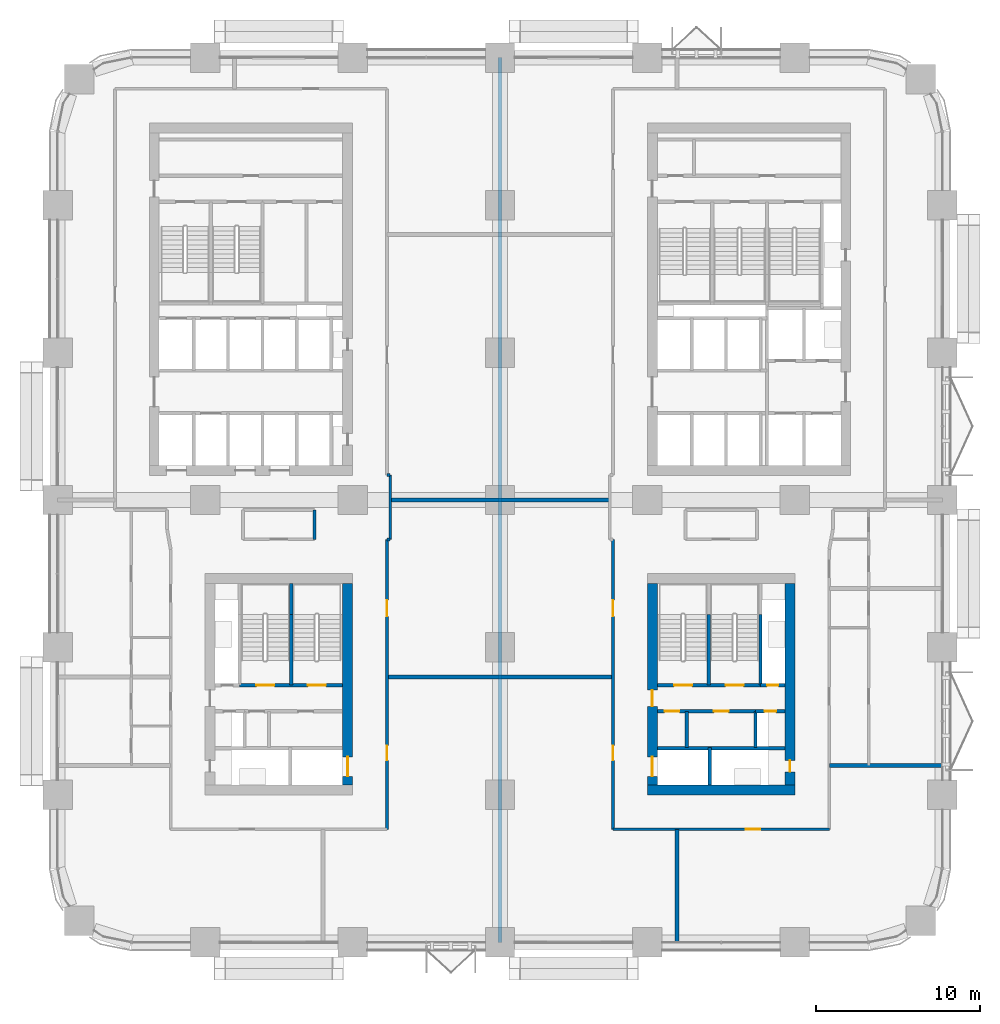
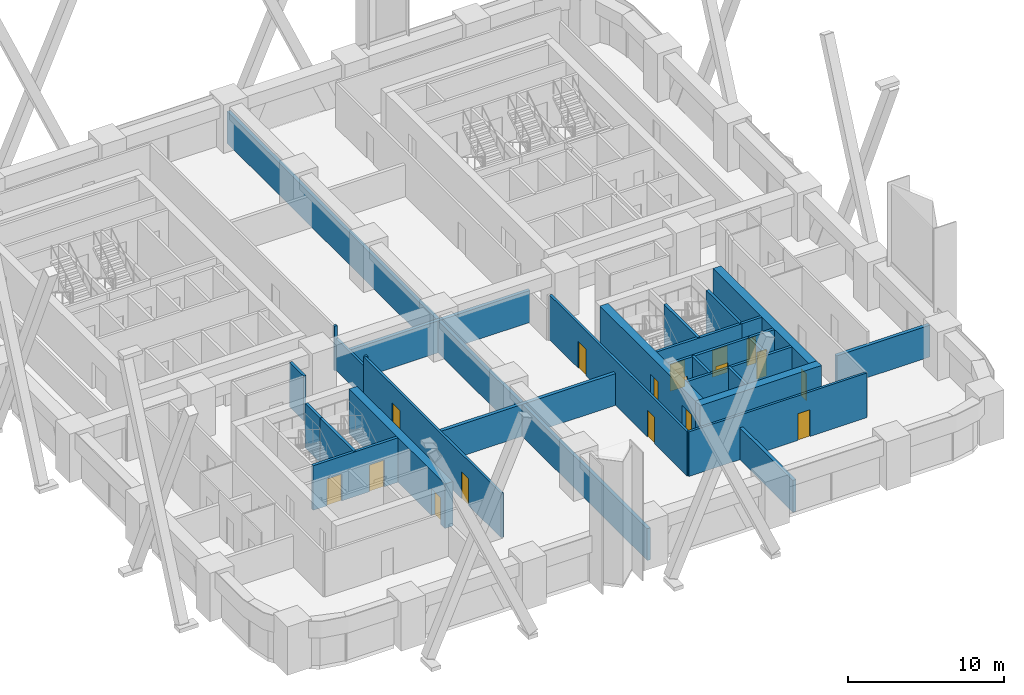
# One storey, part 16 of 24: 29 walls, 17 doors, 17 openings.
"""IFC4 building model written with IfcOpenShell, lengths in metres."""

from ifc_helpers import new_model, si_unit, direction, frame, frame_2d, origin, place, context, subcontext, project, spatial, rectangle, extrude, material, layer, layer_set, type_object, element, fill, save


model = new_model("IFC4")

# Units and contexts
model_context = context("Model", 3, precision=1e-05, world=origin(), true_north=direction((0.0, 1.0)))
body_context = subcontext(model_context, "Body", "Model", "MODEL_VIEW")
ifc_project = project(units=[si_unit("LENGTHUNIT", "METRE"), si_unit("AREAUNIT", "SQUARE_METRE"), si_unit("VOLUMEUNIT", "CUBIC_METRE"), si_unit("PLANEANGLEUNIT", "RADIAN"), si_unit("MASSUNIT", "GRAM", prefix="KILO")], contexts=[model_context])

# Site, building, storey
site_placement = place(None, origin())
site = spatial("IfcSite", under=ifc_project, at=site_placement, CompositionType="ELEMENT")
building_placement = place(site_placement, origin())
building = spatial("IfcBuilding", under=site, at=building_placement, Name="Tessera Arch", CompositionType="ELEMENT")
storey_placement = place(building_placement, frame((0.0, 0.0, 61.39990234375)))
storey = spatial("IfcBuildingStorey", under=building, at=storey_placement, Name="L13", CompositionType="ELEMENT", Elevation=61.39990234375)

# Wall
ifc_material_1 = material(Name="Gypsum board on steel stud", Category="steel")
ifc_layer_1 = layer(ifc_material_1, 0.125)
ifc_layer_set_1 = layer_set([ifc_layer_1], Name="Core partition 125 EI 60")
wall_type_1 = type_object("IfcWallType", Name="Core partition 125 EI 60", PredefinedType="PARTITIONING", material=ifc_layer_set_1)
wall_1_placement = place(storey_placement, frame((38.39990234375, 11.89990234375, 0.0), z_axis=(0.0, 0.0, 1.0), x_axis=(0.0, 1.0, 0.0)))
element("IfcWall", 1, at=wall_1_placement, inside=storey, type_object=wall_type_1, Name="L13 C3 partition wall 1", PredefinedType="PARTITIONING", context=body_context, shape_type="SweptSolid", body=[
    extrude(rectangle(XDim=2.2001953125, YDim=0.199951171875, at=frame_2d((1.10009765625, 0.0))), origin(), (0.0, 0.0, 1.0), 3.5),
])

# Wall, openings, doors
wall_2_placement = place(storey_placement, frame((36.60009765625, 14.10009765625, 0.0), z_axis=(0.0, 0.0, 1.0), x_axis=(1.0, 0.0, 0.0)))
wall_2 = element("IfcWall", 2, at=wall_2_placement, inside=storey, type_object=wall_type_1, Name="L13 C3 partition wall 9", PredefinedType="PARTITIONING", context=body_context, shape_type="SweptSolid", body=[
    extrude(rectangle(XDim=6.0, YDim=0.199951171875, at=frame_2d((3.0, 0.0))), origin(), (0.0, 0.0, 1.0), 3.5),
])
opening_1_placement = place(wall_2_placement, frame((0.449951171875, 0.0, 0.0)))
opening_1 = element("IfcOpeningElement", 3, at=opening_1_placement, cuts=wall_2, Name="Opening L13-C38", PredefinedType="OPENING", context=body_context, shape_type="SweptSolid", body=[
    extrude(rectangle(XDim=0.89990234375, YDim=2.10009765625, at=frame_2d((0.449951171875, 1.050048828125))), frame((0.0, 0.10986328125, 0.0), z_axis=(0.0, -1.0, 0.0), x_axis=(1.0, 0.0, 0.0)), (0.0, 0.0, 1.0), 0.219970703125),
])
opening_2_placement = place(wall_2_placement, frame((3.449951171875, 0.0, 0.0)))
opening_2 = element("IfcOpeningElement", 4, at=opening_2_placement, cuts=wall_2, Name="Opening L13-C39", PredefinedType="OPENING", context=body_context, shape_type="SweptSolid", body=[
    extrude(rectangle(XDim=0.89990234375, YDim=2.10009765625, at=frame_2d((0.449951171875, 1.050048828125))), frame((0.0, 0.10986328125, 0.0), z_axis=(0.0, -1.0, 0.0), x_axis=(1.0, 0.0, 0.0)), (0.0, 0.0, 1.0), 0.219970703125),
])
ifc_material_2 = material(Name="Steel door leaf", Category="steel")
door_type_1 = type_object("IfcDoorType", Name="Store door FD30S 900 x 2100", OperationType="SINGLE_SWING_LEFT", PredefinedType="DOOR", material=ifc_material_2)
door_1_placement = place(opening_1_placement, origin())
door_1 = element("IfcDoor", 5, at=door_1_placement, inside=storey, type_object=door_type_1, Name="L13 C3 door 8 C38 type D09", OperationType="SINGLE_SWING_LEFT", OverallHeight=2.10009765625, OverallWidth=0.89990234375, PredefinedType="DOOR", context=body_context, shape_type="SweptSolid", body=[
    extrude(rectangle(XDim=0.89990234375, YDim=2.10009765625, at=frame_2d((0.449951171875, 1.050048828125))), frame((0.0, 0.02490234375, 0.0), z_axis=(0.0, -1.0, 0.0), x_axis=(1.0, 0.0, 0.0)), (0.0, 0.0, 1.0), 0.050048828125),
])
fill(opening_1, door_1)
door_2_placement = place(opening_2_placement, origin())
door_2 = element("IfcDoor", 6, at=door_2_placement, inside=storey, type_object=door_type_1, Name="L13 C3 door 9 C39 type D09", OperationType="SINGLE_SWING_RIGHT", OverallHeight=2.10009765625, OverallWidth=0.89990234375, PredefinedType="DOOR", context=body_context, shape_type="SweptSolid", body=[
    extrude(rectangle(XDim=0.89990234375, YDim=2.10009765625, at=frame_2d((0.449951171875, 1.050048828125))), frame((0.0, 0.02490234375, 0.0), z_axis=(0.0, -1.0, 0.0), x_axis=(1.0, 0.0, 0.0)), (0.0, 0.0, 1.0), 0.050048828125),
])
fill(opening_2, door_2)

# Wall
ifc_material_3 = material(Name="Concrete C70/85", Category="concrete")
ifc_layer_2 = layer(ifc_material_3, 0.60009765625)
ifc_layer_set_2 = layer_set([ifc_layer_2], Name="Core shell wall 600 C70-85")
wall_type_2 = type_object("IfcWallType", Name="Core shell wall 600 C70-85", PredefinedType="SHEAR", material=ifc_layer_set_2)
wall_3_placement = place(storey_placement, frame((36.0, 9.300048828125, 0.0), z_axis=(0.0, 0.0, 1.0), x_axis=(1.0, 0.0, 0.0)))
element("IfcWall", 7, at=wall_3_placement, inside=storey, type_object=wall_type_2, Name="L13 C3 core wall S", PredefinedType="SHEAR", context=body_context, shape_type="SweptSolid", body=[
    extrude(rectangle(XDim=9.0, YDim=0.60009765625, at=frame_2d((4.5, 0.0))), origin(), (0.0, 0.0, 1.0), 3.5),
])

# Wall, openings, doors
wall_4_placement = place(storey_placement, frame((36.300048828125, 9.60009765625, 0.0), z_axis=(0.0, 0.0, 1.0), x_axis=(0.0, 1.0, 0.0)))
wall_4 = element("IfcWall", 8, at=wall_4_placement, inside=storey, type_object=wall_type_2, Name="L13 C3 core wall W", PredefinedType="SHEAR", context=body_context, shape_type="SweptSolid", body=[
    extrude(rectangle(XDim=12.2998046875, YDim=0.60009765625, at=frame_2d((6.14990234375, 0.0))), origin(), (0.0, 0.0, 1.0), 3.5),
])
opening_3_placement = place(wall_4_placement, frame((0.52490234375, 0.0, 0.0)))
opening_3 = element("IfcOpeningElement", 9, at=opening_3_placement, cuts=wall_4, Name="Opening L13-C31", PredefinedType="OPENING", context=body_context, shape_type="SweptSolid", body=[
    extrude(rectangle(XDim=1.199951171875, YDim=2.10009765625, at=frame_2d((0.60009765625, 1.050048828125))), frame((0.0, 0.31005859375, 0.0), z_axis=(0.0, -1.0, 0.0), x_axis=(1.0, 0.0, 0.0)), (0.0, 0.0, 1.0), 0.6201171875),
])
opening_4_placement = place(wall_4_placement, frame((4.800048828125, 0.0, 0.0)))
opening_4 = element("IfcOpeningElement", 10, at=opening_4_placement, cuts=wall_4, Name="Opening L13-C37", PredefinedType="OPENING", context=body_context, shape_type="SweptSolid", body=[
    extrude(rectangle(XDim=1.0, YDim=2.10009765625, at=frame_2d((0.5, 1.050048828125))), frame((0.0, 0.31005859375, 0.0), z_axis=(0.0, -1.0, 0.0), x_axis=(1.0, 0.0, 0.0)), (0.0, 0.0, 1.0), 0.6201171875),
])
ifc_material_4 = material(Name="Steel door leaf", Category="steel")
door_type_2 = type_object("IfcDoorType", Name="Corridor door FD60 1000 x 2100", OperationType="SINGLE_SWING_LEFT", PredefinedType="DOOR", material=ifc_material_4)
door_3_placement = place(opening_4_placement, origin())
door_3 = element("IfcDoor", 11, at=door_3_placement, inside=storey, type_object=door_type_2, Name="L13 C3 door 7 C37 type D12", OperationType="SINGLE_SWING_LEFT", OverallHeight=2.10009765625, OverallWidth=1.0, PredefinedType="DOOR", context=body_context, shape_type="SweptSolid", body=[
    extrude(rectangle(XDim=1.0, YDim=2.10009765625, at=frame_2d((0.5, 1.050048828125))), frame((0.0, 0.02490234375, 0.0), z_axis=(0.0, -1.0, 0.0), x_axis=(1.0, 0.0, 0.0)), (0.0, 0.0, 1.0), 0.050048828125),
])
fill(opening_4, door_3)
ifc_material_5 = material(Name="Stainless steel AISI 304", Category="steel")
door_type_3 = type_object("IfcDoorType", Name="Sliding landing door 1200 x 2100", OperationType="SLIDING_TO_LEFT", PredefinedType="DOOR", material=ifc_material_5)
door_4_placement = place(opening_3_placement, origin())
door_4 = element("IfcDoor", 12, at=door_4_placement, inside=storey, type_object=door_type_3, Name="L13 SV1 lift landing door C31 type LD", OperationType="SLIDING_TO_LEFT", OverallHeight=2.10009765625, OverallWidth=1.199951171875, PredefinedType="DOOR", context=body_context, shape_type="SweptSolid", body=[
    extrude(rectangle(XDim=1.199951171875, YDim=2.10009765625, at=frame_2d((0.60009765625, 1.050048828125))), frame((0.0, 0.02490234375, 0.0), z_axis=(0.0, -1.0, 0.0), x_axis=(1.0, 0.0, 0.0)), (0.0, 0.0, 1.0), 0.050048828125),
])
fill(opening_3, door_4)

# Wall, opening, door
wall_5_placement = place(storey_placement, frame((44.699951171875, 9.60009765625, 0.0), z_axis=(0.0, 0.0, 1.0), x_axis=(0.0, 1.0, 0.0)))
wall_5 = element("IfcWall", 13, at=wall_5_placement, inside=storey, type_object=wall_type_2, Name="L13 C3 core wall E", PredefinedType="SHEAR", context=body_context, shape_type="SweptSolid", body=[
    extrude(rectangle(XDim=12.2998046875, YDim=0.60009765625, at=frame_2d((6.14990234375, 0.0))), origin(), (0.0, 0.0, 1.0), 3.5),
])
opening_5_placement = place(wall_5_placement, frame((0.800048828125, 0.0, 0.0)))
opening_5 = element("IfcOpeningElement", 14, at=opening_5_placement, cuts=wall_5, Name="Opening L13-C36", PredefinedType="OPENING", context=body_context, shape_type="SweptSolid", body=[
    extrude(rectangle(XDim=0.699951171875, YDim=2.10009765625, at=frame_2d((0.35009765625, 1.050048828125))), frame((0.0, 0.31005859375, 0.0), z_axis=(0.0, -1.0, 0.0), x_axis=(1.0, 0.0, 0.0)), (0.0, 0.0, 1.0), 0.6201171875),
])
ifc_material_6 = material(Name="Steel door leaf", Category="steel")
door_type_4 = type_object("IfcDoorType", Name="Service shaft door FD60 700 x 2100", OperationType="SINGLE_SWING_LEFT", PredefinedType="DOOR", material=ifc_material_6)
door_5_placement = place(opening_5_placement, origin())
door_5 = element("IfcDoor", 15, at=door_5_placement, inside=storey, type_object=door_type_4, Name="L13 C3 door 6 C36 type D07", OperationType="SINGLE_SWING_LEFT", OverallHeight=2.10009765625, OverallWidth=0.699951171875, PredefinedType="DOOR", context=body_context, shape_type="SweptSolid", body=[
    extrude(rectangle(XDim=0.699951171875, YDim=2.10009765625, at=frame_2d((0.35009765625, 1.050048828125))), frame((0.0, 0.02490234375, 0.0), z_axis=(0.0, -1.0, 0.0), x_axis=(1.0, 0.0, 0.0)), (0.0, 0.0, 1.0), 0.050048828125),
])
fill(opening_5, door_5)

wall_6_placement = place(storey_placement, frame((17.699951171875, 9.60009765625, 0.0), z_axis=(0.0, 0.0, 1.0), x_axis=(0.0, 1.0, 0.0)))
wall_6 = element("IfcWall", 16, at=wall_6_placement, inside=storey, type_object=wall_type_2, Name="L13 C4 core wall E", PredefinedType="SHEAR", context=body_context, shape_type="SweptSolid", body=[
    extrude(rectangle(XDim=12.2998046875, YDim=0.60009765625, at=frame_2d((6.14990234375, 0.0))), origin(), (0.0, 0.0, 1.0), 3.5),
])
opening_6_placement = place(wall_6_placement, frame((0.52490234375, 0.0, 0.0)))
opening_6 = element("IfcOpeningElement", 17, at=opening_6_placement, cuts=wall_6, Name="Opening L13-C40", PredefinedType="OPENING", context=body_context, shape_type="SweptSolid", body=[
    extrude(rectangle(XDim=1.199951171875, YDim=2.10009765625, at=frame_2d((0.60009765625, 1.050048828125))), frame((0.0, 0.31005859375, 0.0), z_axis=(0.0, -1.0, 0.0), x_axis=(1.0, 0.0, 0.0)), (0.0, 0.0, 1.0), 0.6201171875),
])
door_6_placement = place(opening_6_placement, origin())
door_6 = element("IfcDoor", 18, at=door_6_placement, inside=storey, type_object=door_type_3, Name="L13 SV3 lift landing door C40 type LD", OperationType="SLIDING_TO_LEFT", OverallHeight=2.10009765625, OverallWidth=1.199951171875, PredefinedType="DOOR", context=body_context, shape_type="SweptSolid", body=[
    extrude(rectangle(XDim=1.199951171875, YDim=2.10009765625, at=frame_2d((0.60009765625, 1.050048828125))), frame((0.0, 0.02490234375, 0.0), z_axis=(0.0, -1.0, 0.0), x_axis=(1.0, 0.0, 0.0)), (0.0, 0.0, 1.0), 0.050048828125),
])
fill(opening_6, door_6)

ifc_material_7 = material(Name="Gypsum board on deep steel stud with mineral wool", Category="steel")
ifc_layer_3 = layer(ifc_material_7, 0.175048828125)
ifc_layer_set_3 = layer_set([ifc_layer_3], Name="Corridor wall 175 EI 60")
wall_type_3 = type_object("IfcWallType", Name="Corridor wall 175 EI 60", PredefinedType="PARTITIONING", material=ifc_layer_set_3)
wall_7_placement = place(storey_placement, frame((33.89990234375, 6.89990234375, 0.0), z_axis=(0.0, 0.0, 1.0), x_axis=(1.0, 0.0, 0.0)))
wall_7 = element("IfcWall", 19, at=wall_7_placement, inside=storey, type_object=wall_type_3, Name="L13 partition 2", PredefinedType="PARTITIONING", context=body_context, shape_type="SweptSolid", body=[
    extrude(rectangle(XDim=13.2001953125, YDim=0.175048828125, at=frame_2d((6.60009765625, 0.0))), origin(), (0.0, 0.0, 1.0), 3.5),
])
opening_7_placement = place(wall_7_placement, frame((8.10009765625, 0.0, 0.0)))
opening_7 = element("IfcOpeningElement", 20, at=opening_7_placement, cuts=wall_7, Name="Opening L13-D002", PredefinedType="OPENING", context=body_context, shape_type="SweptSolid", body=[
    extrude(rectangle(XDim=0.89990234375, YDim=2.10009765625, at=frame_2d((0.449951171875, 1.050048828125))), frame((0.0, 0.097412109375, 0.0), z_axis=(0.0, -1.0, 0.0), x_axis=(1.0, 0.0, 0.0)), (0.0, 0.0, 1.0), 0.195068359375),
])
ifc_material_8 = material(Name="Timber door leaf", Category="wood")
door_type_5 = type_object("IfcDoorType", Name="Room door 900 x 2100", OperationType="SINGLE_SWING_LEFT", PredefinedType="DOOR", material=ifc_material_8)
door_7_placement = place(opening_7_placement, origin())
door_7 = element("IfcDoor", 21, at=door_7_placement, inside=storey, type_object=door_type_5, Name="L13 door D002 type D01", OperationType="SINGLE_SWING_LEFT", OverallHeight=2.10009765625, OverallWidth=0.89990234375, PredefinedType="DOOR", context=body_context, shape_type="SweptSolid", body=[
    extrude(rectangle(XDim=0.89990234375, YDim=2.10009765625, at=frame_2d((0.449951171875, 1.050048828125))), frame((0.0, 0.02490234375, 0.0), z_axis=(0.0, -1.0, 0.0), x_axis=(1.0, 0.0, 0.0)), (0.0, 0.0, 1.0), 0.050048828125),
])
fill(opening_7, door_7)

# Walls
for number, where, z_axis, x_axis, name in (
    (22, (20.10009765625, 24.590087890625, 0.0), (0.0, 0.0, 1.0), (1.0, 0.0, 0.0), "L13 partition 3"),
    (23, (20.10009765625, 28.52001953125, 0.0), (0.0, 0.0, 1.0), (1.0, 0.0, 0.0), "L13 partition 11"),
):
    element("IfcWall", number, at=place(storey_placement, frame(where, z_axis=z_axis, x_axis=x_axis)), inside=storey, type_object=wall_type_3, Name=name, PredefinedType="PARTITIONING", context=body_context, shape_type="SweptSolid", body=[
        extrude(rectangle(XDim=0.199951171875, YDim=0.175048828125, at=frame_2d((0.10009765625, 0.0))), origin(), (0.0, 0.0, 1.0), 3.5),
    ])
wall_8_placement = place(storey_placement, frame((15.679931640625, 24.60009765625, 0.0), z_axis=(0.0, 0.0, 1.0), x_axis=(0.0, 1.0, 0.0)))
element("IfcWall", 24, at=wall_8_placement, inside=storey, type_object=wall_type_3, Name="L13 partition 19", PredefinedType="PARTITIONING", context=body_context, shape_type="SweptSolid", body=[
    extrude(rectangle(XDim=1.7998046875, YDim=0.175048828125, at=frame_2d((0.89990234375, 0.0))), origin(), (0.0, 0.0, 1.0), 3.5),
])

# Wall, openings, doors
wall_9_placement = place(storey_placement, frame((20.10009765625, 6.89990234375, 0.0), z_axis=(0.0, 0.0, 1.0), x_axis=(0.0, 1.0, 0.0)))
wall_9 = element("IfcWall", 25, at=wall_9_placement, inside=storey, type_object=wall_type_3, Name="L13 partition 20", PredefinedType="PARTITIONING", context=body_context, shape_type="SweptSolid", body=[
    extrude(rectangle(XDim=17.690185546875, YDim=0.175048828125, at=frame_2d((8.84521484375, 0.0))), origin(), (0.0, 0.0, 1.0), 3.5),
])
opening_8_placement = place(wall_9_placement, frame((4.199951171875, 0.0, 0.0)))
opening_8 = element("IfcOpeningElement", 26, at=opening_8_placement, cuts=wall_9, Name="Opening L13-D003", PredefinedType="OPENING", context=body_context, shape_type="SweptSolid", body=[
    extrude(rectangle(XDim=0.89990234375, YDim=2.10009765625, at=frame_2d((0.449951171875, 1.050048828125))), frame((0.0, 0.097412109375, 0.0), z_axis=(0.0, -1.0, 0.0), x_axis=(1.0, 0.0, 0.0)), (0.0, 0.0, 1.0), 0.195068359375),
])
opening_9_placement = place(wall_9_placement, frame((12.9951171875, 0.0, 0.0)))
opening_9 = element("IfcOpeningElement", 27, at=opening_9_placement, cuts=wall_9, Name="Opening L13-D014", PredefinedType="OPENING", context=body_context, shape_type="SweptSolid", body=[
    extrude(rectangle(XDim=1.0, YDim=2.10009765625, at=frame_2d((0.5, 1.050048828125))), frame((0.0, 0.097412109375, 0.0), z_axis=(0.0, -1.0, 0.0), x_axis=(1.0, 0.0, 0.0)), (0.0, 0.0, 1.0), 0.195068359375),
])
ifc_material_9 = material(Name="Fire-rated door leaf")
door_type_6 = type_object("IfcDoorType", Name="Entrance door FD30S 1000 x 2100", OperationType="SINGLE_SWING_LEFT", PredefinedType="DOOR", material=ifc_material_9)
door_8_placement = place(opening_9_placement, origin())
door_8 = element("IfcDoor", 28, at=door_8_placement, inside=storey, type_object=door_type_6, Name="L13 door D014 type D03", OperationType="SINGLE_SWING_LEFT", OverallHeight=2.10009765625, OverallWidth=1.0, PredefinedType="DOOR", context=body_context, shape_type="SweptSolid", body=[
    extrude(rectangle(XDim=1.0, YDim=2.10009765625, at=frame_2d((0.5, 1.050048828125))), frame((0.0, 0.02490234375, 0.0), z_axis=(0.0, -1.0, 0.0), x_axis=(1.0, 0.0, 0.0)), (0.0, 0.0, 1.0), 0.050048828125),
])
fill(opening_9, door_8)
door_9_placement = place(opening_8_placement, origin())
door_9 = element("IfcDoor", 29, at=door_9_placement, inside=storey, type_object=door_type_5, Name="L13 door D003 type D01", OperationType="SINGLE_SWING_RIGHT", OverallHeight=2.10009765625, OverallWidth=0.89990234375, PredefinedType="DOOR", context=body_context, shape_type="SweptSolid", body=[
    extrude(rectangle(XDim=0.89990234375, YDim=2.10009765625, at=frame_2d((0.449951171875, 1.050048828125))), frame((0.0, 0.02490234375, 0.0), z_axis=(0.0, -1.0, 0.0), x_axis=(1.0, 0.0, 0.0)), (0.0, 0.0, 1.0), 0.050048828125),
])
fill(opening_8, door_9)

# Wall
wall_10_placement = place(storey_placement, frame((20.300048828125, 24.590087890625, 0.0), z_axis=(0.0, 0.0, 1.0), x_axis=(0.0, 1.0, 0.0)))
element("IfcWall", 30, at=wall_10_placement, inside=storey, type_object=wall_type_3, Name="L13 partition 22", PredefinedType="PARTITIONING", context=body_context, shape_type="SweptSolid", body=[
    extrude(rectangle(XDim=3.929931640625, YDim=0.175048828125, at=frame_2d((1.96484375, 0.0))), origin(), (0.0, 0.0, 1.0), 2.5),
])

# Wall, openings, doors
wall_11_placement = place(storey_placement, frame((33.89990234375, 6.89990234375, 0.0), z_axis=(0.0, 0.0, 1.0), x_axis=(0.0, 1.0, 0.0)))
wall_11 = element("IfcWall", 31, at=wall_11_placement, inside=storey, type_object=wall_type_3, Name="L13 partition 24", PredefinedType="PARTITIONING", context=body_context, shape_type="SweptSolid", body=[
    extrude(rectangle(XDim=17.690185546875, YDim=0.175048828125, at=frame_2d((8.84521484375, 0.0))), origin(), (0.0, 0.0, 1.0), 3.5),
])
opening_10_placement = place(wall_11_placement, frame((4.199951171875, 0.0, 0.0)))
opening_10 = element("IfcOpeningElement", 32, at=opening_10_placement, cuts=wall_11, Name="Opening L13-D004", PredefinedType="OPENING", context=body_context, shape_type="SweptSolid", body=[
    extrude(rectangle(XDim=0.89990234375, YDim=2.10009765625, at=frame_2d((0.449951171875, 1.050048828125))), frame((0.0, 0.097412109375, 0.0), z_axis=(0.0, -1.0, 0.0), x_axis=(1.0, 0.0, 0.0)), (0.0, 0.0, 1.0), 0.195068359375),
])
opening_11_placement = place(wall_11_placement, frame((12.9951171875, 0.0, 0.0)))
opening_11 = element("IfcOpeningElement", 33, at=opening_11_placement, cuts=wall_11, Name="Opening L13-D015", PredefinedType="OPENING", context=body_context, shape_type="SweptSolid", body=[
    extrude(rectangle(XDim=1.0, YDim=2.10009765625, at=frame_2d((0.5, 1.050048828125))), frame((0.0, 0.097412109375, 0.0), z_axis=(0.0, -1.0, 0.0), x_axis=(1.0, 0.0, 0.0)), (0.0, 0.0, 1.0), 0.195068359375),
])
door_10_placement = place(opening_11_placement, origin())
door_10 = element("IfcDoor", 34, at=door_10_placement, inside=storey, type_object=door_type_6, Name="L13 door D015 type D03", OperationType="SINGLE_SWING_LEFT", OverallHeight=2.10009765625, OverallWidth=1.0, PredefinedType="DOOR", context=body_context, shape_type="SweptSolid", body=[
    extrude(rectangle(XDim=1.0, YDim=2.10009765625, at=frame_2d((0.5, 1.050048828125))), frame((0.0, 0.02490234375, 0.0), z_axis=(0.0, -1.0, 0.0), x_axis=(1.0, 0.0, 0.0)), (0.0, 0.0, 1.0), 0.050048828125),
])
fill(opening_11, door_10)
door_11_placement = place(opening_10_placement, origin())
door_11 = element("IfcDoor", 35, at=door_11_placement, inside=storey, type_object=door_type_5, Name="L13 door D004 type D01", OperationType="SINGLE_SWING_RIGHT", OverallHeight=2.10009765625, OverallWidth=0.89990234375, PredefinedType="DOOR", context=body_context, shape_type="SweptSolid", body=[
    extrude(rectangle(XDim=0.89990234375, YDim=2.10009765625, at=frame_2d((0.449951171875, 1.050048828125))), frame((0.0, 0.02490234375, 0.0), z_axis=(0.0, -1.0, 0.0), x_axis=(1.0, 0.0, 0.0)), (0.0, 0.0, 1.0), 0.050048828125),
])
fill(opening_10, door_11)

# Walls
ifc_material_10 = material(Name="Double gypsum board on twin steel stud with acoustic mineral wool", Category="steel")
ifc_layer_4 = layer(ifc_material_10, 0.25)
ifc_layer_set_4 = layer_set([ifc_layer_4], Name="Party wall 250 EI 60")
wall_type_4 = type_object("IfcWallType", Name="Party wall 250 EI 60", PredefinedType="PARTITIONING", material=ifc_layer_set_4)
wall_12_placement = place(storey_placement, frame((47.10009765625, 10.800048828125, 0.0), z_axis=(0.0, 0.0, 1.0), x_axis=(1.0, 0.0, 0.0)))
element("IfcWall", 36, at=wall_12_placement, inside=storey, type_object=wall_type_4, Name="L13 partition 36", PredefinedType="PARTITIONING", context=body_context, shape_type="SweptSolid", body=[
    extrude(rectangle(XDim=6.89990234375, YDim=0.25, at=frame_2d((3.449951171875, 0.0))), origin(), (0.0, 0.0, 1.0), 2.5),
])
wall_13_placement = place(storey_placement, frame((20.10009765625, 16.199951171875, 0.0), z_axis=(0.0, 0.0, 1.0), x_axis=(1.0, 0.0, 0.0)))
element("IfcWall", 37, at=wall_13_placement, inside=storey, type_object=wall_type_4, Name="L13 partition 38", PredefinedType="PARTITIONING", context=body_context, shape_type="SweptSolid", body=[
    extrude(rectangle(XDim=13.7998046875, YDim=0.25, at=frame_2d((6.89990234375, 0.0))), origin(), (0.0, 0.0, 1.0), 2.5),
])
wall_14_placement = place(storey_placement, frame((20.300048828125, 27.0, 0.0), z_axis=(0.0, 0.0, 1.0), x_axis=(1.0, 0.0, 0.0)))
element("IfcWall", 38, at=wall_14_placement, inside=storey, type_object=wall_type_4, Name="L13 partition 41", PredefinedType="PARTITIONING", context=body_context, shape_type="SweptSolid", body=[
    extrude(rectangle(XDim=13.39990234375, YDim=0.25, at=frame_2d((6.699951171875, 0.0))), origin(), (0.0, 0.0, 1.0), 2.5),
])
wall_15_placement = place(storey_placement, frame((27.0, 0.0, 0.0), z_axis=(0.0, 0.0, 1.0), x_axis=(0.0, 1.0, 0.0)))
element("IfcWall", 39, at=wall_15_placement, inside=storey, type_object=wall_type_4, Name="L13 partition 46", PredefinedType="PARTITIONING", context=body_context, shape_type="SweptSolid", body=[
    extrude(rectangle(XDim=54.0, YDim=0.25, at=frame_2d((27.0, 0.0))), origin(), (0.0, 0.0, 1.0), 2.5),
])
wall_16_placement = place(storey_placement, frame((37.800048828125, 0.0, 0.0), z_axis=(0.0, 0.0, 1.0), x_axis=(0.0, 1.0, 0.0)))
element("IfcWall", 40, at=wall_16_placement, inside=storey, type_object=wall_type_4, Name="L13 partition 47", PredefinedType="PARTITIONING", context=body_context, shape_type="SweptSolid", body=[
    extrude(rectangle(XDim=6.89990234375, YDim=0.25, at=frame_2d((3.449951171875, 0.0))), origin(), (0.0, 0.0, 1.0), 2.5),
])
ifc_material_11 = material(Name="Concrete C40/50", Category="concrete")
ifc_layer_5 = layer(ifc_material_11, 0.199951171875)
ifc_layer_set_5 = layer_set([ifc_layer_5], Name="Shaft wall 200 EI 120")
wall_type_5 = type_object("IfcWallType", Name="Shaft wall 200 EI 120", PredefinedType="SOLIDWALL", material=ifc_layer_set_5)
wall_17_placement = place(storey_placement, frame((39.800048828125, 9.60009765625, 0.0), z_axis=(0.0, 0.0, 1.0), x_axis=(0.0, 1.0, 0.0)))
element("IfcWall", 41, at=wall_17_placement, inside=storey, type_object=wall_type_5, Name="L13 C3 shaft wall 4", PredefinedType="SOLIDWALL", context=body_context, shape_type="SweptSolid", body=[
    extrude(rectangle(XDim=2.2998046875, YDim=0.199951171875, at=frame_2d((1.14990234375, 0.0))), origin(), (0.0, 0.0, 1.0), 3.5),
])
wall_18_placement = place(storey_placement, frame((42.60009765625, 11.89990234375, 0.0), z_axis=(0.0, 0.0, 1.0), x_axis=(0.0, 1.0, 0.0)))
element("IfcWall", 42, at=wall_18_placement, inside=storey, type_object=wall_type_5, Name="L13 C3 shaft wall 5", PredefinedType="SOLIDWALL", context=body_context, shape_type="SweptSolid", body=[
    extrude(rectangle(XDim=2.2001953125, YDim=0.199951171875, at=frame_2d((1.10009765625, 0.0))), origin(), (0.0, 0.0, 1.0), 3.5),
])
wall_19_placement = place(storey_placement, frame((36.60009765625, 11.85009765625, 0.0), z_axis=(0.0, 0.0, 1.0), x_axis=(1.0, 0.0, 0.0)))
element("IfcWall", 43, at=wall_19_placement, inside=storey, type_object=wall_type_5, Name="L13 C3 shaft wall 8", PredefinedType="SOLIDWALL", context=body_context, shape_type="SweptSolid", body=[
    extrude(rectangle(XDim=7.7998046875, YDim=0.199951171875, at=frame_2d((3.89990234375, 0.0))), origin(), (0.0, 0.0, 1.0), 3.5),
])

# Wall, opening, door
wall_20_placement = place(storey_placement, frame((42.60009765625, 14.10009765625, 0.0), z_axis=(0.0, 0.0, 1.0), x_axis=(1.0, 0.0, 0.0)))
wall_20 = element("IfcWall", 44, at=wall_20_placement, inside=storey, type_object=wall_type_5, Name="L13 C3 shaft wall 10", PredefinedType="SOLIDWALL", context=body_context, shape_type="SweptSolid", body=[
    extrude(rectangle(XDim=1.7998046875, YDim=0.199951171875, at=frame_2d((0.89990234375, 0.0))), origin(), (0.0, 0.0, 1.0), 3.5),
])
opening_12_placement = place(wall_20_placement, frame((0.550048828125, 0.0, 0.0)))
opening_12 = element("IfcOpeningElement", 45, at=opening_12_placement, cuts=wall_20, Name="Opening L13-C35", PredefinedType="OPENING", context=body_context, shape_type="SweptSolid", body=[
    extrude(rectangle(XDim=0.699951171875, YDim=2.10009765625, at=frame_2d((0.35009765625, 1.050048828125))), frame((0.0, 0.10986328125, 0.0), z_axis=(0.0, -1.0, 0.0), x_axis=(1.0, 0.0, 0.0)), (0.0, 0.0, 1.0), 0.219970703125),
])
door_12_placement = place(opening_12_placement, origin())
door_12 = element("IfcDoor", 46, at=door_12_placement, inside=storey, type_object=door_type_4, Name="L13 C3 door 5 C35 type D07", OperationType="SINGLE_SWING_RIGHT", OverallHeight=2.10009765625, OverallWidth=0.699951171875, PredefinedType="DOOR", context=body_context, shape_type="SweptSolid", body=[
    extrude(rectangle(XDim=0.699951171875, YDim=2.10009765625, at=frame_2d((0.35009765625, 1.050048828125))), frame((0.0, 0.02490234375, 0.0), z_axis=(0.0, -1.0, 0.0), x_axis=(1.0, 0.0, 0.0)), (0.0, 0.0, 1.0), 0.050048828125),
])
fill(opening_12, door_12)

wall_21_placement = place(storey_placement, frame((42.89990234375, 15.699951171875, 0.0), z_axis=(0.0, 0.0, 1.0), x_axis=(1.0, 0.0, 0.0)))
wall_21 = element("IfcWall", 47, at=wall_21_placement, inside=storey, type_object=wall_type_5, Name="L13 C3 shaft wall 11", PredefinedType="SOLIDWALL", context=body_context, shape_type="SweptSolid", body=[
    extrude(rectangle(XDim=1.5, YDim=0.199951171875, at=frame_2d((0.75, 0.0))), origin(), (0.0, 0.0, 1.0), 3.5),
])
opening_13_placement = place(wall_21_placement, frame((0.39990234375, 0.0, 0.0)))
opening_13 = element("IfcOpeningElement", 48, at=opening_13_placement, cuts=wall_21, Name="Opening L13-C34", PredefinedType="OPENING", context=body_context, shape_type="SweptSolid", body=[
    extrude(rectangle(XDim=0.699951171875, YDim=2.10009765625, at=frame_2d((0.35009765625, 1.050048828125))), frame((0.0, 0.10986328125, 0.0), z_axis=(0.0, -1.0, 0.0), x_axis=(1.0, 0.0, 0.0)), (0.0, 0.0, 1.0), 0.219970703125),
])
door_13_placement = place(opening_13_placement, origin())
door_13 = element("IfcDoor", 49, at=door_13_placement, inside=storey, type_object=door_type_4, Name="L13 C3 door 4 C34 type D07", OperationType="SINGLE_SWING_LEFT", OverallHeight=2.10009765625, OverallWidth=0.699951171875, PredefinedType="DOOR", context=body_context, shape_type="SweptSolid", body=[
    extrude(rectangle(XDim=0.699951171875, YDim=2.10009765625, at=frame_2d((0.35009765625, 1.050048828125))), frame((0.0, 0.02490234375, 0.0), z_axis=(0.0, -1.0, 0.0), x_axis=(1.0, 0.0, 0.0)), (0.0, 0.0, 1.0), 0.050048828125),
])
fill(opening_13, door_13)

# Walls
ifc_material_12 = material(Name="Concrete C40/50", Category="concrete")
ifc_layer_6 = layer(ifc_material_12, 0.199951171875)
ifc_layer_set_6 = layer_set([ifc_layer_6], Name="Stair well wall 200 REI 180")
wall_type_6 = type_object("IfcWallType", Name="Stair well wall 200 REI 180", PredefinedType="SOLIDWALL", material=ifc_layer_set_6)
for number, where, z_axis, x_axis, name in (
    (50, (39.75, 15.699951171875, 0.0), (0.0, 0.0, 1.0), (0.0, 1.0, 0.0), "L13 C3 shaft wall 2"),
    (51, (42.89990234375, 15.699951171875, 0.0), (0.0, 0.0, 1.0), (0.0, 1.0, 0.0), "L13 C3 shaft wall 6"),
):
    element("IfcWall", number, at=place(storey_placement, frame(where, z_axis=z_axis, x_axis=x_axis)), inside=storey, type_object=wall_type_6, Name=name, PredefinedType="SOLIDWALL", context=body_context, shape_type="SweptSolid", body=[
        extrude(rectangle(XDim=4.300048828125, YDim=0.199951171875, at=frame_2d((2.14990234375, 0.0))), origin(), (0.0, 0.0, 1.0), 3.5),
    ])

# Wall, openings, doors
wall_22_placement = place(storey_placement, frame((36.60009765625, 15.699951171875, 0.0), z_axis=(0.0, 0.0, 1.0), x_axis=(1.0, 0.0, 0.0)))
wall_22 = element("IfcWall", 52, at=wall_22_placement, inside=storey, type_object=wall_type_6, Name="L13 C3 shaft wall 12", PredefinedType="SOLIDWALL", context=body_context, shape_type="SweptSolid", body=[
    extrude(rectangle(XDim=6.2998046875, YDim=0.199951171875, at=frame_2d((3.14990234375, 0.0))), origin(), (0.0, 0.0, 1.0), 3.5),
])
opening_14_placement = place(wall_22_placement, frame((1.02490234375, 0.0, 0.0)))
opening_14 = element("IfcOpeningElement", 53, at=opening_14_placement, cuts=wall_22, Name="Opening L13-C32", PredefinedType="OPENING", context=body_context, shape_type="SweptSolid", body=[
    extrude(rectangle(XDim=1.10009765625, YDim=2.10009765625, at=frame_2d((0.550048828125, 1.050048828125))), frame((0.0, 0.10986328125, 0.0), z_axis=(0.0, -1.0, 0.0), x_axis=(1.0, 0.0, 0.0)), (0.0, 0.0, 1.0), 0.219970703125),
])
opening_15_placement = place(wall_22_placement, frame((4.175048828125, 0.0, 0.0)))
opening_15 = element("IfcOpeningElement", 54, at=opening_15_placement, cuts=wall_22, Name="Opening L13-C33", PredefinedType="OPENING", context=body_context, shape_type="SweptSolid", body=[
    extrude(rectangle(XDim=1.10009765625, YDim=2.10009765625, at=frame_2d((0.550048828125, 1.050048828125))), frame((0.0, 0.10986328125, 0.0), z_axis=(0.0, -1.0, 0.0), x_axis=(1.0, 0.0, 0.0)), (0.0, 0.0, 1.0), 0.219970703125),
])
ifc_material_13 = material(Name="Steel door leaf", Category="steel")
door_type_7 = type_object("IfcDoorType", Name="Stair door FD60 1100 x 2100", OperationType="SINGLE_SWING_LEFT", PredefinedType="DOOR", material=ifc_material_13)
door_14_placement = place(opening_14_placement, origin())
door_14 = element("IfcDoor", 55, at=door_14_placement, inside=storey, type_object=door_type_7, Name="L13 C3 door 2 C32 type D05", OperationType="SINGLE_SWING_LEFT", OverallHeight=2.10009765625, OverallWidth=1.10009765625, PredefinedType="DOOR", context=body_context, shape_type="SweptSolid", body=[
    extrude(rectangle(XDim=1.10009765625, YDim=2.10009765625, at=frame_2d((0.550048828125, 1.050048828125))), frame((0.0, 0.02490234375, 0.0), z_axis=(0.0, -1.0, 0.0), x_axis=(1.0, 0.0, 0.0)), (0.0, 0.0, 1.0), 0.050048828125),
])
fill(opening_14, door_14)
door_15_placement = place(opening_15_placement, origin())
door_15 = element("IfcDoor", 56, at=door_15_placement, inside=storey, type_object=door_type_7, Name="L13 C3 door 3 C33 type D05", OperationType="SINGLE_SWING_RIGHT", OverallHeight=2.10009765625, OverallWidth=1.10009765625, PredefinedType="DOOR", context=body_context, shape_type="SweptSolid", body=[
    extrude(rectangle(XDim=1.10009765625, YDim=2.10009765625, at=frame_2d((0.550048828125, 1.050048828125))), frame((0.0, 0.02490234375, 0.0), z_axis=(0.0, -1.0, 0.0), x_axis=(1.0, 0.0, 0.0)), (0.0, 0.0, 1.0), 0.050048828125),
])
fill(opening_15, door_15)

# Walls
wall_23_placement = place(storey_placement, frame((14.25, 15.699951171875, 0.0), z_axis=(0.0, 0.0, 1.0), x_axis=(0.0, 1.0, 0.0)))
element("IfcWall", 57, at=wall_23_placement, inside=storey, type_object=wall_type_6, Name="L13 C4 shaft wall 6", PredefinedType="SOLIDWALL", context=body_context, shape_type="SweptSolid", body=[
    extrude(rectangle(XDim=4.300048828125, YDim=0.199951171875, at=frame_2d((2.14990234375, 0.0))), origin(), (0.0, 0.0, 1.0), 3.5),
])
wall_24_placement = place(storey_placement, frame((14.25, 20.0, 0.0), z_axis=(0.0, 0.0, 1.0), x_axis=(0.0, 1.0, 0.0)))
element("IfcWall", 58, at=wall_24_placement, inside=storey, type_object=wall_type_6, Name="L13 C4 shaft wall 7", PredefinedType="SOLIDWALL", context=body_context, shape_type="SweptSolid", body=[
    extrude(rectangle(XDim=1.89990234375, YDim=0.199951171875, at=frame_2d((0.949951171875, 0.0))), origin(), (0.0, 0.0, 1.0), 3.5),
])

# Wall, openings, doors
wall_25_placement = place(storey_placement, frame((11.10009765625, 15.699951171875, 0.0), z_axis=(0.0, 0.0, 1.0), x_axis=(1.0, 0.0, 0.0)))
wall_25 = element("IfcWall", 59, at=wall_25_placement, inside=storey, type_object=wall_type_6, Name="L13 C4 shaft wall 12", PredefinedType="SOLIDWALL", context=body_context, shape_type="SweptSolid", body=[
    extrude(rectangle(XDim=6.2998046875, YDim=0.199951171875, at=frame_2d((3.14990234375, 0.0))), origin(), (0.0, 0.0, 1.0), 3.5),
])
opening_16_placement = place(wall_25_placement, frame((4.175048828125, 0.0, 0.0)))
opening_16 = element("IfcOpeningElement", 60, at=opening_16_placement, cuts=wall_25, Name="Opening L13-C41", PredefinedType="OPENING", context=body_context, shape_type="SweptSolid", body=[
    extrude(rectangle(XDim=1.10009765625, YDim=2.10009765625, at=frame_2d((0.550048828125, 1.050048828125))), frame((0.0, 0.10986328125, 0.0), z_axis=(0.0, -1.0, 0.0), x_axis=(1.0, 0.0, 0.0)), (0.0, 0.0, 1.0), 0.219970703125),
])
opening_17_placement = place(wall_25_placement, frame((1.02490234375, 0.0, 0.0)))
opening_17 = element("IfcOpeningElement", 61, at=opening_17_placement, cuts=wall_25, Name="Opening L13-C42", PredefinedType="OPENING", context=body_context, shape_type="SweptSolid", body=[
    extrude(rectangle(XDim=1.10009765625, YDim=2.10009765625, at=frame_2d((0.550048828125, 1.050048828125))), frame((0.0, 0.10986328125, 0.0), z_axis=(0.0, -1.0, 0.0), x_axis=(1.0, 0.0, 0.0)), (0.0, 0.0, 1.0), 0.219970703125),
])
door_16_placement = place(opening_16_placement, origin())
door_16 = element("IfcDoor", 62, at=door_16_placement, inside=storey, type_object=door_type_7, Name="L13 C4 door 2 C41 type D05", OperationType="SINGLE_SWING_RIGHT", OverallHeight=2.10009765625, OverallWidth=1.10009765625, PredefinedType="DOOR", context=body_context, shape_type="SweptSolid", body=[
    extrude(rectangle(XDim=1.10009765625, YDim=2.10009765625, at=frame_2d((0.550048828125, 1.050048828125))), frame((0.0, 0.02490234375, 0.0), z_axis=(0.0, -1.0, 0.0), x_axis=(1.0, 0.0, 0.0)), (0.0, 0.0, 1.0), 0.050048828125),
])
fill(opening_16, door_16)
door_17_placement = place(opening_17_placement, origin())
door_17 = element("IfcDoor", 63, at=door_17_placement, inside=storey, type_object=door_type_7, Name="L13 C4 door 3 C42 type D05", OperationType="SINGLE_SWING_LEFT", OverallHeight=2.10009765625, OverallWidth=1.10009765625, PredefinedType="DOOR", context=body_context, shape_type="SweptSolid", body=[
    extrude(rectangle(XDim=1.10009765625, YDim=2.10009765625, at=frame_2d((0.550048828125, 1.050048828125))), frame((0.0, 0.02490234375, 0.0), z_axis=(0.0, -1.0, 0.0), x_axis=(1.0, 0.0, 0.0)), (0.0, 0.0, 1.0), 0.050048828125),
])
fill(opening_17, door_17)

save(model, "model.ifc")
